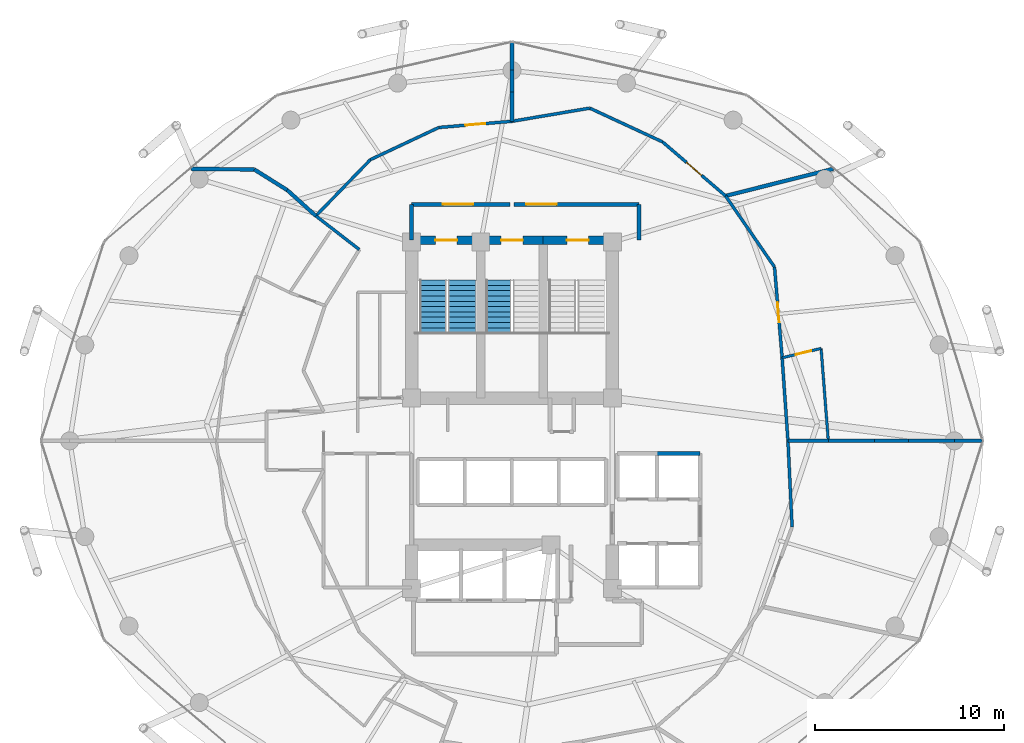
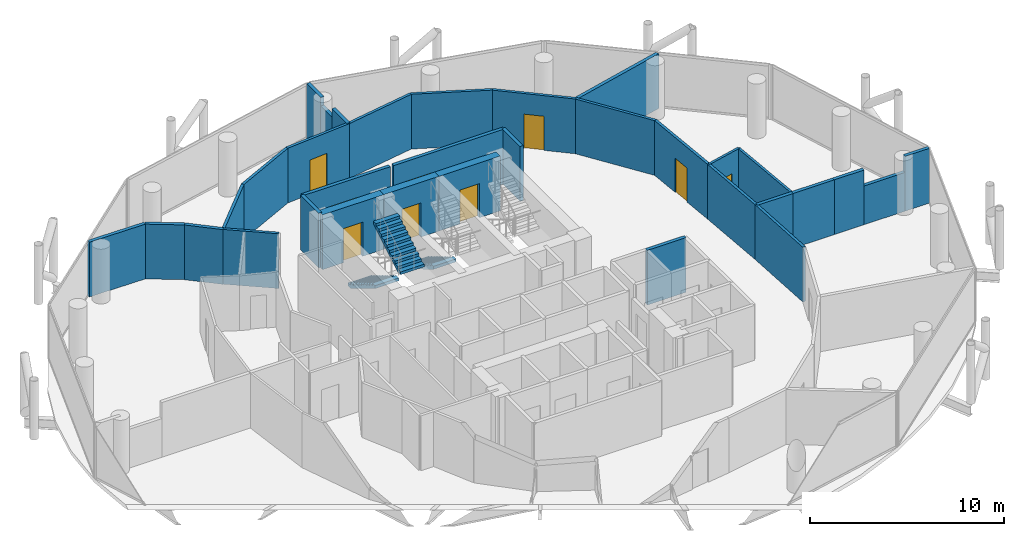
# One storey, part 24 of 26: 33 walls, 9 doors, 3 stair flights, 9 openings, 2 elements without a shape of their own.
"""IFC4 building model written with IfcOpenShell, lengths in metres."""

from ifc_helpers import new_model, si_unit, direction, frame, frame_2d, origin, place, context, subcontext, project, spatial, polyline, rectangle, outline, extrude, material, layer, layer_set, type_object, element, fill, aggregate, save


model = new_model("IFC4")

# Units and contexts
model_context = context("Model", 3, precision=1e-05, world=origin(), true_north=direction((0.0, 1.0)))
body_context = subcontext(model_context, "Body", "Model", "MODEL_VIEW")
ifc_project = project(units=[si_unit("LENGTHUNIT", "METRE"), si_unit("AREAUNIT", "SQUARE_METRE"), si_unit("VOLUMEUNIT", "CUBIC_METRE"), si_unit("PLANEANGLEUNIT", "RADIAN"), si_unit("MASSUNIT", "GRAM", prefix="KILO")], contexts=[model_context])

# Site, building, storey
site_placement = place(None, origin())
site = spatial("IfcSite", under=ifc_project, at=site_placement, CompositionType="ELEMENT")
building_placement = place(site_placement, origin())
building = spatial("IfcBuilding", under=site, at=building_placement, Name="Nuhasar Tower", CompositionType="ELEMENT")
storey_placement = place(building_placement, frame((0.0, 0.0, 173.75)))
storey = spatial("IfcBuildingStorey", under=building, at=storey_placement, Name="L42", CompositionType="ELEMENT", Elevation=173.75)

# Wall, opening, door
ifc_material_1 = material(Name="Concrete C50/60", Category="concrete")
ifc_layer_1 = layer(ifc_material_1, 0.449951171875)
ifc_layer_set_1 = layer_set([ifc_layer_1], Name="Concrete C50/60")
wall_type_1 = type_object("IfcWallType", Name="WL-CORE-450", PredefinedType="SHEAR", material=ifc_layer_set_1)
wall_1_placement = place(storey_placement, frame((37.35009765625, 37.39990234375, 0.0), z_axis=(0.0, 0.0, 1.0), x_axis=(-1.0, 0.0, 0.0)))
wall_1 = element("IfcWall", 1, at=wall_1_placement, inside=storey, type_object=wall_type_1, Name="L42 Stairwell Shear Wall ST01-N", PredefinedType="SHEAR", context=body_context, shape_type="SweptSolid", body=[
    extrude(rectangle(XDim=3.650146484375, YDim=0.449951171875, at=frame_2d((1.8251953125, 0.0))), origin(), (0.0, 0.0, 1.0), 3.449951171875),
])
opening_1_placement = place(wall_1_placement, frame((1.25, 0.0, 0.0)))
opening_1 = element("IfcOpeningElement", 2, at=opening_1_placement, cuts=wall_1, Name="Opening DS-01", PredefinedType="OPENING", context=body_context, shape_type="SweptSolid", body=[
    extrude(rectangle(XDim=1.14990234375, YDim=2.14990234375, at=frame_2d((0.574951171875, 1.074951171875))), frame((0.0, 0.23486328125, 0.0), z_axis=(0.0, -1.0, 0.0), x_axis=(1.0, 0.0, 0.0)), (0.0, 0.0, 1.0), 0.469970703125),
])
ifc_material_2 = material(Name="Steel S355", Category="steel")
door_type_1 = type_object("IfcDoorType", Name="DR-STAIR-FD120-1150", OperationType="NOTDEFINED", PredefinedType="DOOR", material=ifc_material_2)
door_1_placement = place(opening_1_placement, origin())
door_1 = element("IfcDoor", 3, at=door_1_placement, inside=storey, type_object=door_type_1, Name="L42 Exit Stair ST-01 Door", OperationType="SINGLE_SWING_RIGHT", OverallHeight=2.14990234375, OverallWidth=1.14990234375, PredefinedType="DOOR", context=body_context, shape_type="SweptSolid", body=[
    extrude(rectangle(XDim=1.14990234375, YDim=2.14990234375, at=frame_2d((0.574951171875, 1.074951171875))), frame((0.0, 0.02490234375, 0.0), z_axis=(0.0, -1.0, 0.0), x_axis=(1.0, 0.0, 0.0)), (0.0, 0.0, 1.0), 0.050048828125),
])
fill(opening_1, door_1)

wall_2_placement = place(storey_placement, frame((40.64990234375, 37.39990234375, 0.0), z_axis=(0.0, 0.0, 1.0), x_axis=(-1.0, 0.0, 0.0)))
wall_2 = element("IfcWall", 4, at=wall_2_placement, inside=storey, type_object=wall_type_1, Name="L42 Stairwell Shear Wall ST03-N", PredefinedType="SHEAR", context=body_context, shape_type="SweptSolid", body=[
    extrude(rectangle(XDim=3.2998046875, YDim=0.449951171875, at=frame_2d((1.64990234375, 0.0))), origin(), (0.0, 0.0, 1.0), 3.449951171875),
])
opening_2_placement = place(wall_2_placement, frame((1.074951171875, 0.0, 0.0)))
opening_2 = element("IfcOpeningElement", 5, at=opening_2_placement, cuts=wall_2, Name="Opening DS-01", PredefinedType="OPENING", context=body_context, shape_type="SweptSolid", body=[
    extrude(rectangle(XDim=1.14990234375, YDim=2.14990234375, at=frame_2d((0.574951171875, 1.074951171875))), frame((0.0, 0.23486328125, 0.0), z_axis=(0.0, -1.0, 0.0), x_axis=(1.0, 0.0, 0.0)), (0.0, 0.0, 1.0), 0.469970703125),
])
door_2_placement = place(opening_2_placement, origin())
door_2 = element("IfcDoor", 6, at=door_2_placement, inside=storey, type_object=door_type_1, Name="L42 Exit Stair ST-03 Door", OperationType="SINGLE_SWING_RIGHT", OverallHeight=2.14990234375, OverallWidth=1.14990234375, PredefinedType="DOOR", context=body_context, shape_type="SweptSolid", body=[
    extrude(rectangle(XDim=1.14990234375, YDim=2.14990234375, at=frame_2d((0.574951171875, 1.074951171875))), frame((0.0, 0.02490234375, 0.0), z_axis=(0.0, -1.0, 0.0), x_axis=(1.0, 0.0, 0.0)), (0.0, 0.0, 1.0), 0.050048828125),
])
fill(opening_2, door_2)

wall_3_placement = place(storey_placement, frame((44.300048828125, 37.39990234375, 0.0), z_axis=(0.0, 0.0, 1.0), x_axis=(-1.0, 0.0, 0.0)))
wall_3 = element("IfcWall", 7, at=wall_3_placement, inside=storey, type_object=wall_type_1, Name="L42 Stairwell Shear Wall ST02-N", PredefinedType="SHEAR", context=body_context, shape_type="SweptSolid", body=[
    extrude(rectangle(XDim=3.650146484375, YDim=0.449951171875, at=frame_2d((1.8251953125, 0.0))), origin(), (0.0, 0.0, 1.0), 3.449951171875),
])
opening_3_placement = place(wall_3_placement, frame((1.25, 0.0, 0.0)))
opening_3 = element("IfcOpeningElement", 8, at=opening_3_placement, cuts=wall_3, Name="Opening DS-01", PredefinedType="OPENING", context=body_context, shape_type="SweptSolid", body=[
    extrude(rectangle(XDim=1.14990234375, YDim=2.14990234375, at=frame_2d((0.574951171875, 1.074951171875))), frame((0.0, 0.23486328125, 0.0), z_axis=(0.0, -1.0, 0.0), x_axis=(1.0, 0.0, 0.0)), (0.0, 0.0, 1.0), 0.469970703125),
])
door_3_placement = place(opening_3_placement, origin())
door_3 = element("IfcDoor", 9, at=door_3_placement, inside=storey, type_object=door_type_1, Name="L42 Exit Stair ST-02 Door", OperationType="SINGLE_SWING_LEFT", OverallHeight=2.14990234375, OverallWidth=1.14990234375, PredefinedType="DOOR", context=body_context, shape_type="SweptSolid", body=[
    extrude(rectangle(XDim=1.14990234375, YDim=2.14990234375, at=frame_2d((0.574951171875, 1.074951171875))), frame((0.0, 0.02490234375, 0.0), z_axis=(0.0, -1.0, 0.0), x_axis=(1.0, 0.0, 0.0)), (0.0, 0.0, 1.0), 0.050048828125),
])
fill(opening_3, door_3)

# Walls
ifc_material_3 = material(Name="Gypsum Board", Category="gypsum")
ifc_layer_2 = layer(ifc_material_3, 0.159912109375)
ifc_layer_set_2 = layer_set([ifc_layer_2], Name="Gypsum Board")
wall_type_2 = type_object("IfcWallType", Name="WL-CORR-160", PredefinedType="PARTITIONING", material=ifc_layer_set_2)
wall_4_placement = place(storey_placement, frame((53.7880859375, 22.256103515625, 0.0), z_axis=(0.0, 0.0, 1.0), x_axis=(-0.047924666937, 0.998850952995, 0.0)))
element("IfcWall", 10, at=wall_4_placement, inside=storey, type_object=wall_type_2, Name="L42 Interior Partition CORR-46", PredefinedType="PARTITIONING", context=body_context, shape_type="SweptSolid", body=[
    extrude(rectangle(XDim=4.549072265625, YDim=0.159912109375, at=frame_2d((2.2744140625, 0.0))), origin(), (0.0, 0.0, 1.0), 3.449951171875),
])
wall_5_placement = place(storey_placement, frame((53.570068359375, 26.800048828125, 0.0), z_axis=(0.0, 0.0, 1.0), x_axis=(-0.070141062977, 0.997537082661, 0.0)))
element("IfcWall", 11, at=wall_5_placement, inside=storey, type_object=wall_type_2, Name="L42 Interior Partition CORR-00", PredefinedType="PARTITIONING", context=body_context, shape_type="SweptSolid", body=[
    extrude(rectangle(XDim=4.392578125, YDim=0.159912109375, at=frame_2d((2.1962890625, 0.0))), origin(), (0.0, 0.0, 1.0), 3.449951171875),
])

# Wall, opening, door
wall_6_placement = place(storey_placement, frame((52.860107421875, 35.97607421875, 0.0), z_axis=(0.0, 0.0, 1.0), x_axis=(0.083528435033, -0.996505394135, 0.0)))
wall_6 = element("IfcWall", 12, at=wall_6_placement, inside=storey, type_object=wall_type_2, Name="L42 Interior Partition CORR-02", PredefinedType="PARTITIONING", context=body_context, shape_type="SweptSolid", body=[
    extrude(rectangle(XDim=4.81103515625, YDim=0.159912109375, at=frame_2d((2.405517578125, 0.0))), origin(), (0.0, 0.0, 1.0), 3.449951171875),
])
opening_4_placement = place(wall_6_placement, frame((1.8798828125, 0.0, 0.0)))
opening_4 = element("IfcOpeningElement", 13, at=opening_4_placement, cuts=wall_6, Name="Opening DU-01", PredefinedType="OPENING", context=body_context, shape_type="SweptSolid", body=[
    extrude(rectangle(XDim=1.050048828125, YDim=2.14990234375, at=frame_2d((0.52490234375, 1.074951171875))), frame((0.0, 0.08984375, 0.0), z_axis=(0.0, -1.0, 0.0), x_axis=(1.0, 0.0, 0.0)), (0.0, 0.0, 1.0), 0.179931640625),
])
ifc_material_4 = material(Name="Timber Oak", Category="wood")
door_type_2 = type_object("IfcDoorType", Name="DR-SUITE-FD60-1050", OperationType="NOTDEFINED", PredefinedType="DOOR", material=ifc_material_4)
door_4_placement = place(opening_4_placement, origin())
door_4 = element("IfcDoor", 14, at=door_4_placement, inside=storey, type_object=door_type_2, Name="L42 Family Suite 02 Entrance Door", OperationType="SINGLE_SWING_LEFT", OverallHeight=2.14990234375, OverallWidth=1.050048828125, PredefinedType="DOOR", context=body_context, shape_type="SweptSolid", body=[
    extrude(rectangle(XDim=1.050048828125, YDim=2.14990234375, at=frame_2d((0.52490234375, 1.074951171875))), frame((0.0, 0.02490234375, 0.0), z_axis=(0.0, -1.0, 0.0), x_axis=(1.0, 0.0, 0.0)), (0.0, 0.0, 1.0), 0.050048828125),
])
fill(opening_4, door_4)

# Wall
wall_7_placement = place(storey_placement, frame((52.860107421875, 35.97607421875, 0.0), z_axis=(0.0, 0.0, 1.0), x_axis=(-0.567037984517, 0.82369164383, 0.0)))
element("IfcWall", 15, at=wall_7_placement, inside=storey, type_object=wall_type_2, Name="L42 Interior Partition CORR-04", PredefinedType="PARTITIONING", context=body_context, shape_type="SweptSolid", body=[
    extrude(rectangle(XDim=4.557373046875, YDim=0.159912109375, at=frame_2d((2.27880859375, 0.0))), origin(), (0.0, 0.0, 1.0), 3.449951171875),
])

# Wall, opening, door
wall_8_placement = place(storey_placement, frame((46.947021484375, 42.5830078125, 0.0), z_axis=(0.0, 0.0, 1.0), x_axis=(0.759288048082, -0.650754684993, 0.0)))
wall_8 = element("IfcWall", 16, at=wall_8_placement, inside=storey, type_object=wall_type_2, Name="L42 Interior Partition CORR-06", PredefinedType="PARTITIONING", context=body_context, shape_type="SweptSolid", body=[
    extrude(rectangle(XDim=4.38427734375, YDim=0.159912109375, at=frame_2d((2.192138671875, 0.0))), origin(), (0.0, 0.0, 1.0), 3.449951171875),
])
opening_5_placement = place(wall_8_placement, frame((1.6669921875, 0.0, 0.0)))
opening_5 = element("IfcOpeningElement", 17, at=opening_5_placement, cuts=wall_8, Name="Opening DU-01", PredefinedType="OPENING", context=body_context, shape_type="SweptSolid", body=[
    extrude(rectangle(XDim=1.050048828125, YDim=2.14990234375, at=frame_2d((0.52490234375, 1.074951171875))), frame((0.0, 0.08984375, 0.0), z_axis=(0.0, -1.0, 0.0), x_axis=(1.0, 0.0, 0.0)), (0.0, 0.0, 1.0), 0.179931640625),
])
door_5_placement = place(opening_5_placement, origin())
door_5 = element("IfcDoor", 18, at=door_5_placement, inside=storey, type_object=door_type_2, Name="L42 Young Explorers Play Club Entrance Door", OperationType="SINGLE_SWING_LEFT", OverallHeight=2.14990234375, OverallWidth=1.050048828125, PredefinedType="DOOR", context=body_context, shape_type="SweptSolid", body=[
    extrude(rectangle(XDim=1.050048828125, YDim=2.14990234375, at=frame_2d((0.52490234375, 1.074951171875))), frame((0.0, 0.02490234375, 0.0), z_axis=(0.0, -1.0, 0.0), x_axis=(1.0, 0.0, 0.0)), (0.0, 0.0, 1.0), 0.050048828125),
])
fill(opening_5, door_5)

# Walls
wall_9_placement = place(storey_placement, frame((46.947021484375, 42.5830078125, 0.0), z_axis=(0.0, 0.0, 1.0), x_axis=(-0.907214055844, 0.420669296335, 0.0)))
element("IfcWall", 19, at=wall_9_placement, inside=storey, type_object=wall_type_2, Name="L42 Interior Partition CORR-08", PredefinedType="PARTITIONING", context=body_context, shape_type="SweptSolid", body=[
    extrude(rectangle(XDim=4.236083984375, YDim=0.159912109375, at=frame_2d((2.1181640625, 0.0))), origin(), (0.0, 0.0, 1.0), 3.449951171875),
])
wall_10_placement = place(storey_placement, frame((43.10400390625, 44.364990234375, 0.0), z_axis=(0.0, 0.0, 1.0), x_axis=(-0.985959351307, -0.166985501081, 0.0)))
element("IfcWall", 20, at=wall_10_placement, inside=storey, type_object=wall_type_2, Name="L42 Interior Partition CORR-10", PredefinedType="PARTITIONING", context=body_context, shape_type="SweptSolid", body=[
    extrude(rectangle(XDim=4.162353515625, YDim=0.159912109375, at=frame_2d((2.0810546875, 0.0))), origin(), (0.0, 0.0, 1.0), 3.449951171875),
])

# Wall, opening, door
wall_11_placement = place(storey_placement, frame((35.135009765625, 43.343017578125, 0.0), z_axis=(0.0, 0.0, 1.0), x_axis=(0.996442115189, 0.084279956556, 0.0)))
wall_11 = element("IfcWall", 21, at=wall_11_placement, inside=storey, type_object=wall_type_2, Name="L42 Interior Partition CORR-12", PredefinedType="PARTITIONING", context=body_context, shape_type="SweptSolid", body=[
    extrude(rectangle(XDim=3.87890625, YDim=0.159912109375, at=frame_2d((1.939453125, 0.0))), origin(), (0.0, 0.0, 1.0), 3.449951171875),
])
opening_6_placement = place(wall_11_placement, frame((1.4140625, 0.0, 0.0)))
opening_6 = element("IfcOpeningElement", 22, at=opening_6_placement, cuts=wall_11, Name="Opening DU-01", PredefinedType="OPENING", context=body_context, shape_type="SweptSolid", body=[
    extrude(rectangle(XDim=1.050048828125, YDim=2.14990234375, at=frame_2d((0.52490234375, 1.074951171875))), frame((0.0, 0.08984375, 0.0), z_axis=(0.0, -1.0, 0.0), x_axis=(1.0, 0.0, 0.0)), (0.0, 0.0, 1.0), 0.179931640625),
])
door_6_placement = place(opening_6_placement, origin())
door_6 = element("IfcDoor", 23, at=door_6_placement, inside=storey, type_object=door_type_2, Name="L42 Family Gelato Kitchen Entrance Door", OperationType="SINGLE_SWING_RIGHT", OverallHeight=2.14990234375, OverallWidth=1.050048828125, PredefinedType="DOOR", context=body_context, shape_type="SweptSolid", body=[
    extrude(rectangle(XDim=1.050048828125, YDim=2.14990234375, at=frame_2d((0.52490234375, 1.074951171875))), frame((0.0, 0.02490234375, 0.0), z_axis=(0.0, -1.0, 0.0), x_axis=(1.0, 0.0, 0.0)), (0.0, 0.0, 1.0), 0.050048828125),
])
fill(opening_6, door_6)

# Walls
wall_12_placement = place(storey_placement, frame((35.135009765625, 43.343017578125, 0.0), z_axis=(0.0, 0.0, 1.0), x_axis=(-0.904903283727, -0.425617254232, 0.0)))
element("IfcWall", 24, at=wall_12_placement, inside=storey, type_object=wall_type_2, Name="L42 Interior Partition CORR-14", PredefinedType="PARTITIONING", context=body_context, shape_type="SweptSolid", body=[
    extrude(rectangle(XDim=3.989501953125, YDim=0.159912109375, at=frame_2d((1.99462890625, 0.0))), origin(), (0.0, 0.0, 1.0), 3.449951171875),
])
wall_13_placement = place(storey_placement, frame((31.52490234375, 41.64501953125, 0.0), z_axis=(0.0, 0.0, 1.0), x_axis=(-0.69625640942, -0.717793154287, 0.0)))
element("IfcWall", 25, at=wall_13_placement, inside=storey, type_object=wall_type_2, Name="L42 Interior Partition CORR-16", PredefinedType="PARTITIONING", context=body_context, shape_type="SweptSolid", body=[
    extrude(rectangle(XDim=4.1376953125, YDim=0.159912109375, at=frame_2d((2.06884765625, 0.0))), origin(), (0.0, 0.0, 1.0), 3.449951171875),
])
wall_14_placement = place(storey_placement, frame((30.93896484375, 36.89697265625, 0.0), z_axis=(0.0, 0.0, 1.0), x_axis=(-0.79049648077, 0.612466581856, 0.0)))
element("IfcWall", 26, at=wall_14_placement, inside=storey, type_object=wall_type_2, Name="L42 Interior Partition HRAD-18-IN", PredefinedType="PARTITIONING", context=body_context, shape_type="SweptSolid", body=[
    extrude(rectangle(XDim=2.903076171875, YDim=0.159912109375, at=frame_2d((1.45166015625, 0.0))), origin(), (0.0, 0.0, 1.0), 3.449951171875),
])
ifc_material_5 = material(Name="Concrete C45/55", Category="concrete")
ifc_layer_3 = layer(ifc_material_5, 0.199951171875)
ifc_layer_set_3 = layer_set([ifc_layer_3], Name="Concrete C45/55")
wall_type_3 = type_object("IfcWallType", Name="WL-LOBBY-200", PredefinedType="SOLIDWALL", material=ifc_layer_set_3)
for number, where, z_axis, x_axis, name in (
    (27, (33.699951171875, 37.39990234375, 0.0), (0.0, 0.0, 1.0), (0.0, 1.0, 0.0), "L42 Interior Partition NSL-W"),
    (28, (45.699951171875, 37.39990234375, 0.0), (0.0, 0.0, 1.0), (0.0, 1.0, 0.0), "L42 Interior Partition NSL-E"),
):
    element("IfcWall", number, at=place(storey_placement, frame(where, z_axis=z_axis, x_axis=x_axis)), inside=storey, type_object=wall_type_3, Name=name, PredefinedType="SOLIDWALL", context=body_context, shape_type="SweptSolid", body=[
        extrude(rectangle(XDim=1.880126953125, YDim=0.199951171875, at=frame_2d((0.93994140625, 0.0))), origin(), (0.0, 0.0, 1.0), 3.449951171875),
    ])

# Wall, opening, door
wall_15_placement = place(storey_placement, frame((38.89990234375, 39.280029296875, 0.0), z_axis=(0.0, 0.0, 1.0), x_axis=(-1.0, 0.0, 0.0)))
wall_15 = element("IfcWall", 29, at=wall_15_placement, inside=storey, type_object=wall_type_3, Name="L42 Interior Partition NSL-N1", PredefinedType="SOLIDWALL", context=body_context, shape_type="SweptSolid", body=[
    extrude(rectangle(XDim=5.199951171875, YDim=0.199951171875, at=frame_2d((2.60009765625, 0.0))), origin(), (0.0, 0.0, 1.0), 3.449951171875),
])
opening_7_placement = place(wall_15_placement, frame((1.949951171875, 0.0, 0.0)))
opening_7 = element("IfcOpeningElement", 30, at=opening_7_placement, cuts=wall_15, Name="Opening DC-01", PredefinedType="OPENING", context=body_context, shape_type="SweptSolid", body=[
    extrude(rectangle(XDim=1.60009765625, YDim=2.199951171875, at=frame_2d((0.800048828125, 1.10009765625))), frame((0.0, 0.10986328125, 0.0), z_axis=(0.0, -1.0, 0.0), x_axis=(1.0, 0.0, 0.0)), (0.0, 0.0, 1.0), 0.219970703125),
])
door_type_3 = type_object("IfcDoorType", Name="DR-CORR-FD60-1600", OperationType="DOUBLE_DOOR_SINGLE_SWING", PredefinedType="DOOR", material=ifc_material_2)
door_7_placement = place(opening_7_placement, origin())
door_7 = element("IfcDoor", 31, at=door_7_placement, inside=storey, type_object=door_type_3, Name="L42 North Stair Lobby West Door", OperationType="DOUBLE_DOOR_SINGLE_SWING", OverallHeight=2.199951171875, OverallWidth=1.60009765625, PredefinedType="DOOR", context=body_context, shape_type="SweptSolid", body=[
    extrude(rectangle(XDim=1.60009765625, YDim=2.199951171875, at=frame_2d((0.800048828125, 1.10009765625))), frame((0.0, 0.02490234375, 0.0), z_axis=(0.0, -1.0, 0.0), x_axis=(1.0, 0.0, 0.0)), (0.0, 0.0, 1.0), 0.050048828125),
])
fill(opening_7, door_7)

wall_16_placement = place(storey_placement, frame((45.699951171875, 39.280029296875, 0.0), z_axis=(0.0, 0.0, 1.0), x_axis=(-1.0, 0.0, 0.0)))
wall_16 = element("IfcWall", 32, at=wall_16_placement, inside=storey, type_object=wall_type_3, Name="L42 Interior Partition NSL-N2", PredefinedType="SOLIDWALL", context=body_context, shape_type="SweptSolid", body=[
    extrude(rectangle(XDim=6.599853515625, YDim=0.199951171875, at=frame_2d((3.2998046875, 0.0))), origin(), (0.0, 0.0, 1.0), 3.449951171875),
])
opening_8_placement = place(wall_16_placement, frame((4.35009765625, 0.0, 0.0)))
opening_8 = element("IfcOpeningElement", 33, at=opening_8_placement, cuts=wall_16, Name="Opening DC-01", PredefinedType="OPENING", context=body_context, shape_type="SweptSolid", body=[
    extrude(rectangle(XDim=1.60009765625, YDim=2.199951171875, at=frame_2d((0.800048828125, 1.10009765625))), frame((0.0, 0.10986328125, 0.0), z_axis=(0.0, -1.0, 0.0), x_axis=(1.0, 0.0, 0.0)), (0.0, 0.0, 1.0), 0.219970703125),
])
door_8_placement = place(opening_8_placement, origin())
door_8 = element("IfcDoor", 34, at=door_8_placement, inside=storey, type_object=door_type_3, Name="L42 North Stair Lobby East Door", OperationType="DOUBLE_DOOR_SINGLE_SWING", OverallHeight=2.199951171875, OverallWidth=1.60009765625, PredefinedType="DOOR", context=body_context, shape_type="SweptSolid", body=[
    extrude(rectangle(XDim=1.60009765625, YDim=2.199951171875, at=frame_2d((0.800048828125, 1.10009765625))), frame((0.0, 0.02490234375, 0.0), z_axis=(0.0, -1.0, 0.0), x_axis=(1.0, 0.0, 0.0)), (0.0, 0.0, 1.0), 0.050048828125),
])
fill(opening_8, door_8)

# Walls
ifc_layer_4 = layer(ifc_material_5, 0.199951171875)
ifc_layer_set_4 = layer_set([ifc_layer_4], Name="Concrete C45/55")
wall_type_4 = type_object("IfcWallType", Name="WL-SHAFT-200", PredefinedType="SOLIDWALL", material=ifc_layer_set_4)
wall_17_placement = place(storey_placement, frame((46.6201171875, 26.1298828125, 0.0), z_axis=(0.0, 0.0, 1.0), x_axis=(1.0, 0.0, 0.0)))
element("IfcWall", 35, at=wall_17_placement, inside=storey, type_object=wall_type_4, Name="L42 Interior Partition SHF-PL-M02-N", PredefinedType="SOLIDWALL", context=body_context, shape_type="SweptSolid", body=[
    extrude(rectangle(XDim=2.309814453125, YDim=0.199951171875, at=frame_2d((1.15478515625, 0.0))), origin(), (0.0, 0.0, 1.0), 3.449951171875),
])
ifc_material_6 = material(Name="Concrete C40/50 precast", Category="concrete")
ifc_layer_5 = layer(ifc_material_6, 0.199951171875)
ifc_layer_set_5 = layer_set([ifc_layer_5], Name="Concrete C40/50 precast")
wall_type_5 = type_object("IfcWallType", Name="WL-UNIT-200", PredefinedType="PARTITIONING", material=ifc_layer_set_5)
wall_18_placement = place(storey_placement, frame((28.64404296875, 38.675048828125, 0.0), z_axis=(0.0, 0.0, 1.0), x_axis=(-0.742846076273, 0.669462252085, 0.0)))
element("IfcWall", 36, at=wall_18_placement, inside=storey, type_object=wall_type_5, Name="L42 Interior Partition HRAD-18-OUT-S1", PredefinedType="PARTITIONING", context=body_context, shape_type="SweptSolid", body=[
    extrude(rectangle(XDim=2.03271484375, YDim=0.199951171875, at=frame_2d((1.016357421875, 0.0))), origin(), (0.0, 0.0, 1.0), 3.449951171875),
])
wall_19_placement = place(storey_placement, frame((27.134033203125, 40.035888671875, 0.0), z_axis=(0.0, 0.0, 1.0), x_axis=(-0.847509984022, 0.530779452299, 0.0)))
element("IfcWall", 37, at=wall_19_placement, inside=storey, type_object=wall_type_5, Name="L42 Interior Partition HRAD-18-OUT-S2", PredefinedType="PARTITIONING", context=body_context, shape_type="SweptSolid", body=[
    extrude(rectangle(XDim=2.052001953125, YDim=0.199951171875, at=frame_2d((1.02587890625, 0.0))), origin(), (0.0, 0.0, 1.0), 3.449951171875),
])
wall_20_placement = place(storey_placement, frame((25.39501953125, 41.125, 0.0), z_axis=(0.0, 0.0, 1.0), x_axis=(-0.999945735134, 0.010417619126, 0.0)))
element("IfcWall", 38, at=wall_20_placement, inside=storey, type_object=wall_type_5, Name="L42 Interior Partition HRAD-18-OUT-S3", PredefinedType="PARTITIONING", context=body_context, shape_type="SweptSolid", body=[
    extrude(rectangle(XDim=3.351318359375, YDim=0.199951171875, at=frame_2d((1.67578125, 0.0))), origin(), (0.0, 0.0, 1.0), 3.449951171875),
])
wall_21_placement = place(storey_placement, frame((53.570068359375, 26.800048828125, 0.0), z_axis=(0.0, 0.0, 1.0), x_axis=(1.0, 0.0, 0.0)))
element("IfcWall", 39, at=wall_21_placement, inside=storey, type_object=wall_type_5, Name="L42 Interior Partition HRAD-00-S1", PredefinedType="PARTITIONING", context=body_context, shape_type="SweptSolid", body=[
    extrude(rectangle(XDim=2.1298828125, YDim=0.199951171875, at=frame_2d((1.06494140625, 0.0))), origin(), (0.0, 0.0, 1.0), 3.449951171875),
])
wall_22_placement = place(storey_placement, frame((55.699951171875, 26.800048828125, 0.0), z_axis=(0.0, 0.0, 1.0), x_axis=(1.0, 0.0, 0.0)))
element("IfcWall", 40, at=wall_22_placement, inside=storey, type_object=wall_type_5, Name="L42 Interior Partition HRAD-00-S2", PredefinedType="PARTITIONING", context=body_context, shape_type="SweptSolid", body=[
    extrude(rectangle(XDim=2.449951171875, YDim=0.199951171875, at=frame_2d((1.22509765625, 0.0))), origin(), (0.0, 0.0, 1.0), 3.449951171875),
])
wall_23_placement = place(storey_placement, frame((58.14990234375, 26.800048828125, 0.0), z_axis=(0.0, 0.0, 1.0), x_axis=(1.0, 0.0, 0.0)))
element("IfcWall", 41, at=wall_23_placement, inside=storey, type_object=wall_type_5, Name="L42 Interior Partition HRAD-00-S3", PredefinedType="PARTITIONING", context=body_context, shape_type="SweptSolid", body=[
    extrude(rectangle(XDim=1.777099609375, YDim=0.199951171875, at=frame_2d((0.888671875, 0.0))), origin(), (0.0, 0.0, 1.0), 3.449951171875),
])
wall_24_placement = place(storey_placement, frame((59.927001953125, 26.800048828125, 0.0), z_axis=(0.0, 0.0, 1.0), x_axis=(1.0, 0.0, 0.0)))
element("IfcWall", 42, at=wall_24_placement, inside=storey, type_object=wall_type_5, Name="L42 Interior Partition HRAD-00-S3", PredefinedType="PARTITIONING", context=body_context, shape_type="SweptSolid", body=[
    extrude(rectangle(XDim=2.43505859375, YDim=0.199951171875, at=frame_2d((1.217529296875, 0.0))), origin(), (0.0, 0.0, 1.0), 2.43994140625),
])
wall_25_placement = place(storey_placement, frame((62.362060546875, 26.800048828125, 0.0), z_axis=(0.0, 0.0, 1.0), x_axis=(1.0, 0.0, 0.0)))
element("IfcWall", 43, at=wall_25_placement, inside=storey, type_object=wall_type_5, Name="L42 Interior Partition HRAD-00-S3", PredefinedType="PARTITIONING", context=body_context, shape_type="SweptSolid", body=[
    extrude(rectangle(XDim=1.462890625, YDim=0.199951171875, at=frame_2d((0.7314453125, 0.0))), origin(), (0.0, 0.0, 1.0), 3.449951171875),
])
wall_26_placement = place(storey_placement, frame((50.27587890625, 39.72998046875, 0.0), z_axis=(0.0, 0.0, 1.0), x_axis=(0.969744006307, 0.244124071389, 0.0)))
element("IfcWall", 44, at=wall_26_placement, inside=storey, type_object=wall_type_5, Name="L42 Interior Partition HRAD-06", PredefinedType="PARTITIONING", context=body_context, shape_type="SweptSolid", body=[
    extrude(rectangle(XDim=5.857421875, YDim=0.199951171875, at=frame_2d((2.9287109375, 0.0))), origin(), (0.0, 0.0, 1.0), 3.449951171875),
])
wall_27_placement = place(storey_placement, frame((39.0, 43.669921875, 0.0), z_axis=(0.0, 0.0, 1.0), x_axis=(0.0, 1.0, 0.0)))
element("IfcWall", 45, at=wall_27_placement, inside=storey, type_object=wall_type_5, Name="L42 Interior Partition HRAD-12", PredefinedType="PARTITIONING", context=body_context, shape_type="SweptSolid", body=[
    extrude(rectangle(XDim=1.549072265625, YDim=0.199951171875, at=frame_2d((0.7744140625, 0.0))), origin(), (0.0, 0.0, 1.0), 3.449951171875),
])
wall_28_placement = place(storey_placement, frame((39.0, 45.218994140625, 0.0), z_axis=(0.0, 0.0, 1.0), x_axis=(0.0, 1.0, 0.0)))
element("IfcWall", 46, at=wall_28_placement, inside=storey, type_object=wall_type_5, Name="L42 Interior Partition HRAD-12", PredefinedType="PARTITIONING", context=body_context, shape_type="SweptSolid", body=[
    extrude(rectangle(XDim=1.14892578125, YDim=0.199951171875, at=frame_2d((0.574462890625, 0.0))), origin(), (0.0, 0.0, 1.0), 2.9150390625),
])
wall_29_placement = place(storey_placement, frame((39.0, 46.367919921875, 0.0), z_axis=(0.0, 0.0, 1.0), x_axis=(0.0, 1.0, 0.0)))
element("IfcWall", 47, at=wall_29_placement, inside=storey, type_object=wall_type_5, Name="L42 Interior Partition HRAD-12", PredefinedType="PARTITIONING", context=body_context, shape_type="SweptSolid", body=[
    extrude(rectangle(XDim=1.45703125, YDim=0.199951171875, at=frame_2d((0.728515625, 0.0))), origin(), (0.0, 0.0, 1.0), 3.449951171875),
])

# Wall, opening, door
ifc_layer_6 = layer(ifc_material_6, 0.139892578125)
ifc_layer_set_6 = layer_set([ifc_layer_6], Name="Concrete C40/50 precast")
wall_type_6 = type_object("IfcWallType", Name="WL-WET-140", PredefinedType="PARTITIONING", material=ifc_layer_set_6)
wall_30_placement = place(storey_placement, frame((53.261962890625, 31.181884765625, 0.0), z_axis=(0.0, 0.0, 1.0), x_axis=(0.972156535344, 0.23433239381, 0.0)))
wall_30 = element("IfcWall", 48, at=wall_30_placement, inside=storey, type_object=wall_type_6, Name="L42 Interior Partition HBW-04", PredefinedType="PARTITIONING", context=body_context, shape_type="SweptSolid", body=[
    extrude(rectangle(XDim=2.116943359375, YDim=0.139892578125, at=frame_2d((1.05859375, 0.0))), origin(), (0.0, 0.0, 1.0), 3.449951171875),
])
opening_9_placement = place(wall_30_placement, frame((0.739013671875, 0.0, 0.0)))
opening_9 = element("IfcOpeningElement", 49, at=opening_9_placement, cuts=wall_30, Name="Opening DB-01", PredefinedType="OPENING", context=body_context, shape_type="SweptSolid", body=[
    extrude(rectangle(XDim=0.85009765625, YDim=2.10009765625, at=frame_2d((0.425048828125, 1.050048828125))), frame((0.0, 0.080078125, 0.0), z_axis=(0.0, -1.0, 0.0), x_axis=(1.0, 0.0, 0.0)), (0.0, 0.0, 1.0), 0.159912109375),
])
door_type_4 = type_object("IfcDoorType", Name="DR-BATH-850", OperationType="NOTDEFINED", PredefinedType="DOOR", material=ifc_material_4)
door_9_placement = place(opening_9_placement, origin())
door_9 = element("IfcDoor", 50, at=door_9_placement, inside=storey, type_object=door_type_4, Name="L42 Family Suite 02 En-Suite Door", OperationType="SINGLE_SWING_RIGHT", OverallHeight=2.10009765625, OverallWidth=0.85009765625, PredefinedType="DOOR", context=body_context, shape_type="SweptSolid", body=[
    extrude(rectangle(XDim=0.85009765625, YDim=2.10009765625, at=frame_2d((0.425048828125, 1.050048828125))), frame((0.0, 0.02490234375, 0.0), z_axis=(0.0, -1.0, 0.0), x_axis=(1.0, 0.0, 0.0)), (0.0, 0.0, 1.0), 0.050048828125),
])
fill(opening_9, door_9)

# Wall
wall_31_placement = place(storey_placement, frame((55.699951171875, 26.800048828125, 0.0), z_axis=(0.0, 0.0, 1.0), x_axis=(-0.077642783461, 0.99698124264, 0.0)))
element("IfcWall", 51, at=wall_31_placement, inside=storey, type_object=wall_type_6, Name="L42 Interior Partition HBF-04-00", PredefinedType="PARTITIONING", context=body_context, shape_type="SweptSolid", body=[
    extrude(rectangle(XDim=4.892578125, YDim=0.139892578125, at=frame_2d((2.4462890625, 0.0))), origin(), (0.0, 0.0, 1.0), 3.449951171875),
])

# Stair, stair flights
stair_type_1 = type_object("IfcStairType", Name="STR-ST-01-2F-22R-1682", PredefinedType="HALF_TURN_STAIR", material=ifc_material_5)
stair_1_placement = place(storey_placement, origin())
stair_1 = element("IfcStair", 52, at=stair_1_placement, inside=storey, type_object=stair_type_1, Name="L42 Exit Stair ST-01", PredefinedType="HALF_TURN_STAIR")
stair_flight_type_1 = type_object("IfcStairFlightType", Name="SFL-ST-01-11R-1682", PredefinedType="STRAIGHT", material=ifc_material_5)
stair_flight_1_placement = place(storey_placement, frame((34.830078125, 35.284912109375, 0.0), z_axis=(0.0, 0.0, 1.0), x_axis=(0.0, -1.0, 0.0)))
stair_flight_1 = element("IfcStairFlight", 53, at=stair_flight_1_placement, type_object=stair_flight_type_1, Name="ST-01 flight 1", NumberOfRisers=11, NumberOfTreads=10, PredefinedType="STRAIGHT", RiserHeight=0.168182, TreadLength=0.28, context=body_context, shape_type="SweptSolid", body=[
    extrude(outline(polyline([(0.0, 0.0), (0.0, 0.168212890625), (0.280029296875, 0.168212890625), (0.280029296875, 0.33642578125), (0.56005859375, 0.33642578125), (0.56005859375, 0.504638671875), (0.840087890625, 0.504638671875), (0.840087890625, 0.672607421875), (1.1201171875, 0.672607421875), (1.1201171875, 0.8408203125), (1.39990234375, 0.8408203125), (1.39990234375, 1.009033203125), (1.679931640625, 1.009033203125), (1.679931640625, 1.17724609375), (1.9599609375, 1.17724609375), (1.9599609375, 1.345458984375), (2.239990234375, 1.345458984375), (2.239990234375, 1.513671875), (2.52001953125, 1.513671875), (2.52001953125, 1.681884765625), (2.800048828125, 1.681884765625), (2.800048828125, 1.85009765625), (2.800048828125, 1.495361328125), (0.310546875, 0.0), (0.0, 0.0)])), frame((0.0, 0.7099609375, 0.0), z_axis=(0.0, -1.0, 0.0), x_axis=(1.0, 0.0, 0.0)), (0.0, 0.0, 1.0), 1.419921875),
])
stair_flight_2_placement = place(storey_placement, frame((36.35009765625, 32.485107421875, 1.85009765625), z_axis=(0.0, 0.0, 1.0), x_axis=(0.0, 1.0, 0.0)))
stair_flight_2 = element("IfcStairFlight", 54, at=stair_flight_2_placement, type_object=stair_flight_type_1, Name="ST-01 flight 2", NumberOfRisers=11, NumberOfTreads=10, PredefinedType="STRAIGHT", RiserHeight=0.168182, TreadLength=0.28, context=body_context, shape_type="SweptSolid", body=[
    extrude(outline(polyline([(0.0, 0.0), (0.0, 0.168212890625), (0.280029296875, 0.168212890625), (0.280029296875, 0.33642578125), (0.56005859375, 0.33642578125), (0.56005859375, 0.504638671875), (0.840087890625, 0.504638671875), (0.840087890625, 0.672607421875), (1.1201171875, 0.672607421875), (1.1201171875, 0.8408203125), (1.39990234375, 0.8408203125), (1.39990234375, 1.009033203125), (1.679931640625, 1.009033203125), (1.679931640625, 1.17724609375), (1.9599609375, 1.17724609375), (1.9599609375, 1.345458984375), (2.239990234375, 1.345458984375), (2.239990234375, 1.513671875), (2.52001953125, 1.513671875), (2.52001953125, 1.681884765625), (2.800048828125, 1.681884765625), (2.800048828125, 1.85009765625), (2.800048828125, 1.495361328125), (0.310546875, 0.0), (0.0, 0.0)])), frame((0.0, 0.7099609375, 0.0), z_axis=(0.0, -1.0, 0.0), x_axis=(1.0, 0.0, 0.0)), (0.0, 0.0, 1.0), 1.419921875),
])
aggregate(stair_1, [stair_flight_1, stair_flight_2])

# Stair, stair flight
stair_type_2 = type_object("IfcStairType", Name="STR-ST-03-2F-22R-1682", PredefinedType="HALF_TURN_STAIR", material=ifc_material_5)
stair_2_placement = place(storey_placement, origin())
stair_2 = element("IfcStair", 55, at=stair_2_placement, inside=storey, type_object=stair_type_2, Name="L42 Exit Stair ST-03", PredefinedType="HALF_TURN_STAIR")
stair_flight_type_2 = type_object("IfcStairFlightType", Name="SFL-ST-03-11R-1682", PredefinedType="STRAIGHT", material=ifc_material_5)
stair_flight_3_placement = place(storey_placement, frame((38.280029296875, 35.284912109375, 0.0), z_axis=(0.0, 0.0, 1.0), x_axis=(0.0, -1.0, 0.0)))
stair_flight_3 = element("IfcStairFlight", 56, at=stair_flight_3_placement, type_object=stair_flight_type_2, Name="ST-03 flight 1", NumberOfRisers=11, NumberOfTreads=10, PredefinedType="STRAIGHT", RiserHeight=0.168182, TreadLength=0.28, context=body_context, shape_type="SweptSolid", body=[
    extrude(outline(polyline([(0.0, 0.0), (0.0, 0.168212890625), (0.280029296875, 0.168212890625), (0.280029296875, 0.33642578125), (0.56005859375, 0.33642578125), (0.56005859375, 0.504638671875), (0.840087890625, 0.504638671875), (0.840087890625, 0.672607421875), (1.1201171875, 0.672607421875), (1.1201171875, 0.8408203125), (1.39990234375, 0.8408203125), (1.39990234375, 1.009033203125), (1.679931640625, 1.009033203125), (1.679931640625, 1.17724609375), (1.9599609375, 1.17724609375), (1.9599609375, 1.345458984375), (2.239990234375, 1.345458984375), (2.239990234375, 1.513671875), (2.52001953125, 1.513671875), (2.52001953125, 1.681884765625), (2.800048828125, 1.681884765625), (2.800048828125, 1.85009765625), (2.800048828125, 1.495361328125), (0.310546875, 0.0), (0.0, 0.0)])), frame((0.0, 0.669921875, 0.0), z_axis=(0.0, -1.0, 0.0), x_axis=(1.0, 0.0, 0.0)), (0.0, 0.0, 1.0), 1.340087890625),
])
aggregate(stair_2, [stair_flight_3])

save(model, "model.ifc")
